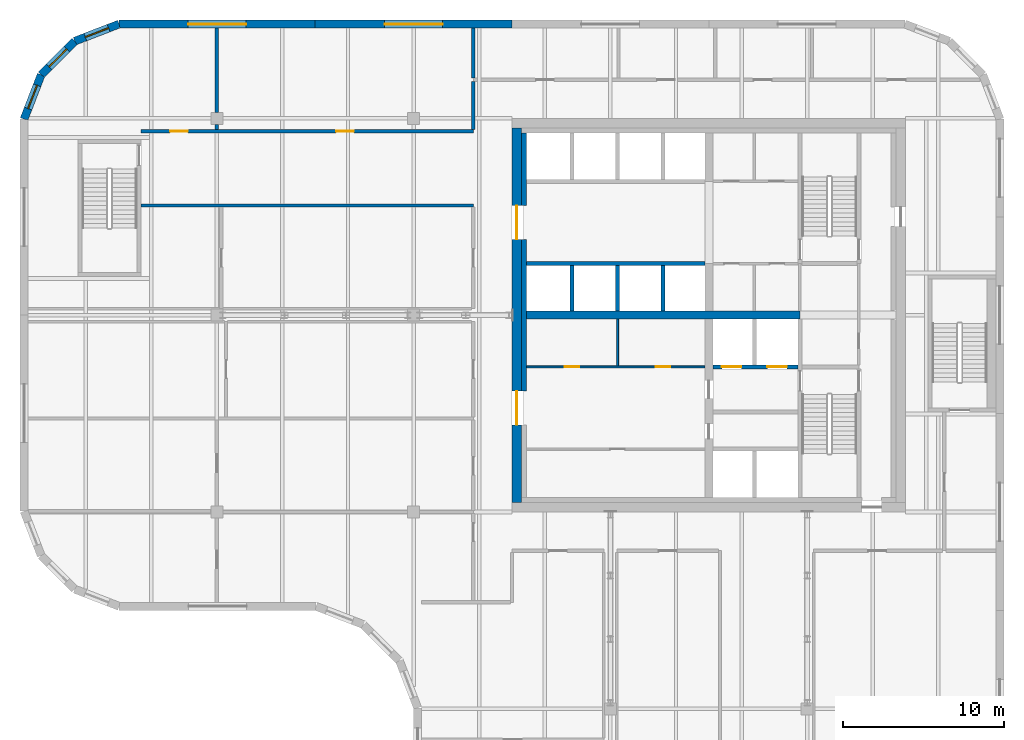
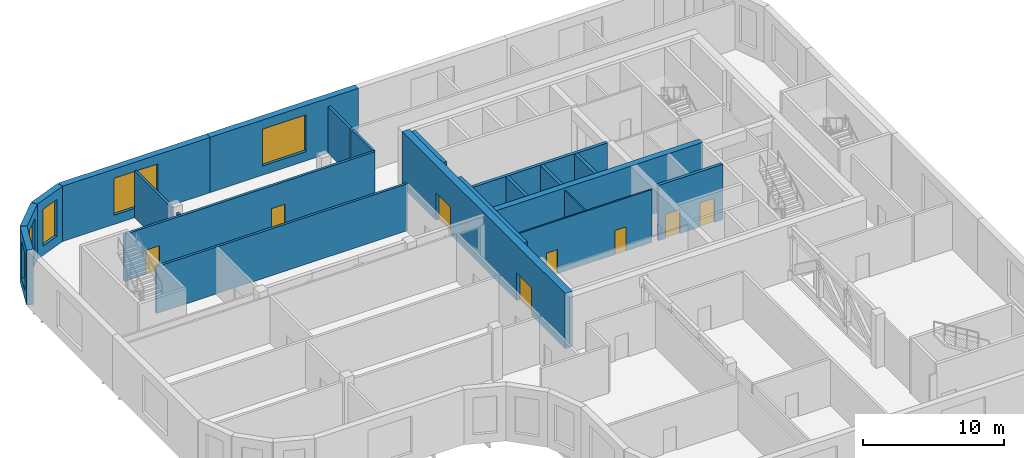
# One storey, part 8 of 12: 22 walls, 8 doors, 5 windows, 13 openings.
"""IFC4 building model written with IfcOpenShell, lengths in metres."""

from ifc_helpers import new_model, si_unit, direction, frame, frame_2d, origin, place, context, subcontext, project, spatial, polyline, rectangle, outline, extrude, faceted_brep, source, transform, mapped, material, layer, layer_set, type_object, element, fill, save


model = new_model("IFC4")

# Units and contexts
model_context = context("Model", 3, precision=1e-05, world=origin(), true_north=direction((0.0, 1.0)))
body_context = subcontext(model_context, "Body", "Model", "MODEL_VIEW")
ifc_project = project(units=[si_unit("LENGTHUNIT", "METRE"), si_unit("AREAUNIT", "SQUARE_METRE"), si_unit("VOLUMEUNIT", "CUBIC_METRE"), si_unit("PLANEANGLEUNIT", "RADIAN"), si_unit("MASSUNIT", "GRAM", prefix="KILO")], contexts=[model_context])

# Site, building, storey
site_placement = place(None, origin())
site = spatial("IfcSite", under=ifc_project, at=site_placement, CompositionType="ELEMENT")
building_placement = place(site_placement, origin())
building = spatial("IfcBuilding", under=site, at=building_placement, Name="Tessera Gate Towers", CompositionType="ELEMENT")
storey_placement = place(building_placement, frame((0.0, 0.0, 150.60009765625)))
storey = spatial("IfcBuildingStorey", under=building, at=storey_placement, Name="L37", CompositionType="ELEMENT", Elevation=150.60009765625)

# Wall
ifc_material_1 = material(Name="Concrete C40/50", Category="concrete")
ifc_layer_1 = layer(ifc_material_1, 0.25)
ifc_layer_set_1 = layer_set([ifc_layer_1], Name="CORE ENCLOSURE WALL 250")
wall_type_1 = type_object("IfcWallType", Name="CORE ENCLOSURE WALL 250", PredefinedType="SOLIDWALL", material=ifc_layer_set_1)
wall_1_placement = place(storey_placement, frame((31.39990234375, 39.800048828125, 0.0), z_axis=(0.0, 0.0, 1.0), x_axis=(1.0, 0.0, 0.0)))
element("IfcWall", 1, at=wall_1_placement, inside=storey, type_object=wall_type_1, Name="L37 shaft and stair enclosure wall", PredefinedType="SOLIDWALL", context=body_context, shape_type="SweptSolid", body=[
    extrude(rectangle(XDim=11.050048828125, YDim=0.25, at=frame_2d((5.52490234375, 0.0))), origin(), (0.0, 0.0, 1.0), 4.7998046875),
])

# Wall, openings, doors
wall_2_placement = place(storey_placement, frame((48.22509765625, 33.39990234375, 0.0), z_axis=(0.0, 0.0, 1.0), x_axis=(-1.0, 0.0, 0.0)))
wall_2 = element("IfcWall", 2, at=wall_2_placement, inside=storey, type_object=wall_type_1, Name="L37 shaft and stair enclosure wall", PredefinedType="SOLIDWALL", context=body_context, shape_type="SweptSolid", body=[
    extrude(rectangle(XDim=5.275146484375, YDim=0.25, at=frame_2d((2.6376953125, 0.0))), origin(), (0.0, 0.0, 1.0), 4.7998046875),
])
shared_shape_1 = source(origin(), body_context, "Body", "SweptSolid", [
    extrude(rectangle(XDim=1.199951171875, YDim=2.10009765625, at=frame_2d((0.60009765625, 1.050048828125))), frame((0.0, 0.135009765625, 0.0), z_axis=(0.0, -1.0, 0.0), x_axis=(1.0, 0.0, 0.0)), (0.0, 0.0, 1.0), 0.27001953125),
])
opening_1_placement = place(wall_2_placement, frame((3.512451171875, 0.0, 0.0)))
opening_1 = element("IfcOpeningElement", 3, at=opening_1_placement, cuts=wall_2, Name="Opening LD-FF1", PredefinedType="OPENING", context=body_context, shape_type="MappedRepresentation", body=[
    mapped(shared_shape_1, transform((0.0, 0.0, 0.0), scale=1.0)),
])
opening_2_placement = place(wall_2_placement, frame((0.6875, 0.0, 0.0)))
opening_2 = element("IfcOpeningElement", 4, at=opening_2_placement, cuts=wall_2, Name="Opening LD-FF2", PredefinedType="OPENING", context=body_context, shape_type="MappedRepresentation", body=[
    mapped(shared_shape_1, transform((0.0, 0.0, 0.0), scale=1.0)),
])
ifc_material_2 = material(Name="Stainless steel", Category="steel")
door_type_1 = type_object("IfcDoorType", Name="CORE DOOR LD1200 1200x2100", OperationType="DOUBLE_DOOR_SLIDING", PredefinedType="DOOR", material=ifc_material_2)
shared_shape_2 = source(origin(), body_context, "Body", "SweptSolid", [
    extrude(rectangle(XDim=1.199951171875, YDim=2.10009765625, at=frame_2d((0.60009765625, 1.050048828125))), frame((0.0, 0.02490234375, 0.0), z_axis=(0.0, -1.0, 0.0), x_axis=(1.0, 0.0, 0.0)), (0.0, 0.0, 1.0), 0.050048828125),
])
door_1_placement = place(opening_1_placement, origin())
door_1 = element("IfcDoor", 5, at=door_1_placement, inside=storey, type_object=door_type_1, Name="Landing door FF1 L37", OperationType="DOUBLE_DOOR_SLIDING", OverallHeight=2.10009765625, OverallWidth=1.199951171875, PredefinedType="DOOR", context=body_context, shape_type="MappedRepresentation", body=[
    mapped(shared_shape_2, transform((0.0, 0.0, 0.0), scale=1.0)),
])
fill(opening_1, door_1)
door_2_placement = place(opening_2_placement, origin())
door_2 = element("IfcDoor", 6, at=door_2_placement, inside=storey, type_object=door_type_1, Name="Landing door FF2 L37", OperationType="DOUBLE_DOOR_SLIDING", OverallHeight=2.10009765625, OverallWidth=1.199951171875, PredefinedType="DOOR", context=body_context, shape_type="MappedRepresentation", body=[
    mapped(shared_shape_2, transform((0.0, 0.0, 0.0), scale=1.0)),
])
fill(opening_2, door_2)

# Walls
for number, where, z_axis, x_axis, name in (
    (7, (34.22509765625, 36.85009765625, 0.0), (0.0, 0.0, 1.0), (0.0, 1.0, 0.0), "L37 shaft and stair enclosure wall"),
    (8, (37.050048828125, 36.85009765625, 0.0), (0.0, 0.0, 1.0), (0.0, 1.0, 0.0), "L37 shaft and stair enclosure wall"),
    (9, (39.875, 36.85009765625, 0.0), (0.0, 0.0, 1.0), (0.0, 1.0, 0.0), "L37 shaft and stair enclosure wall"),
):
    element("IfcWall", number, at=place(storey_placement, frame(where, z_axis=z_axis, x_axis=x_axis)), inside=storey, type_object=wall_type_1, Name=name, PredefinedType="SOLIDWALL", context=body_context, shape_type="SweptSolid", body=[
        extrude(rectangle(XDim=2.824951171875, YDim=0.25, at=frame_2d((1.41259765625, 0.0))), origin(), (0.0, 0.0, 1.0), 4.7998046875),
    ])

# Wall, openings, doors
ifc_material_3 = material(Name="Gypsum board on steel studs", Category="steel")
ifc_layer_2 = layer(ifc_material_3, 0.1201171875)
ifc_layer_set_2 = layer_set([ifc_layer_2], Name="CORE PARTITION 120")
wall_type_2 = type_object("IfcWallType", Name="CORE PARTITION 120", PredefinedType="PARTITIONING", material=ifc_layer_set_2)
wall_3_placement = place(storey_placement, frame((31.39990234375, 33.39990234375, 0.0), z_axis=(0.0, 0.0, 1.0), x_axis=(1.0, 0.0, 0.0)))
wall_3 = element("IfcWall", 10, at=wall_3_placement, inside=storey, type_object=wall_type_2, Name="L37 core partition", PredefinedType="PARTITIONING", context=body_context, shape_type="SweptSolid", body=[
    extrude(rectangle(XDim=11.050048828125, YDim=0.1201171875, at=frame_2d((5.52490234375, 0.0))), origin(), (0.0, 0.0, 1.0), 4.599853515625),
])
shared_shape_3 = source(origin(), body_context, "Body", "SweptSolid", [
    extrude(rectangle(XDim=0.89990234375, YDim=2.10009765625, at=frame_2d((0.449951171875, 1.050048828125))), frame((0.0, 0.070068359375, 0.0), z_axis=(0.0, -1.0, 0.0), x_axis=(1.0, 0.0, 0.0)), (0.0, 0.0, 1.0), 0.14013671875),
])
opening_3_placement = place(wall_3_placement, frame((2.375, 0.0, 0.0)))
opening_3 = element("IfcOpeningElement", 11, at=opening_3_placement, cuts=wall_3, Name="Opening RD-T1-24-08", PredefinedType="OPENING", context=body_context, shape_type="MappedRepresentation", body=[
    mapped(shared_shape_3, transform((0.0, 0.0, 0.0), scale=1.0)),
])
opening_4_placement = place(wall_3_placement, frame((8.02490234375, 0.0, 0.0)))
opening_4 = element("IfcOpeningElement", 12, at=opening_4_placement, cuts=wall_3, Name="Opening RD-T1-24-09", PredefinedType="OPENING", context=body_context, shape_type="MappedRepresentation", body=[
    mapped(shared_shape_3, transform((0.0, 0.0, 0.0), scale=1.0)),
])
ifc_material_4 = material(Name="Hollow steel fire door", Category="steel")
door_type_2 = type_object("IfcDoorType", Name="CORE DOOR RD 900x2100", OperationType="NOTDEFINED", PredefinedType="DOOR", material=ifc_material_4)
shared_shape_4 = source(origin(), body_context, "Body", "SweptSolid", [
    extrude(rectangle(XDim=0.89990234375, YDim=2.10009765625, at=frame_2d((0.449951171875, 1.050048828125))), frame((0.0, 0.02490234375, 0.0), z_axis=(0.0, -1.0, 0.0), x_axis=(1.0, 0.0, 0.0)), (0.0, 0.0, 1.0), 0.050048828125),
])
door_3_placement = place(opening_3_placement, origin())
door_3 = element("IfcDoor", 13, at=door_3_placement, inside=storey, type_object=door_type_2, Name="Core room door", OperationType="SINGLE_SWING_LEFT", OverallHeight=2.10009765625, OverallWidth=0.89990234375, PredefinedType="DOOR", context=body_context, shape_type="MappedRepresentation", body=[
    mapped(shared_shape_4, transform((0.0, 0.0, 0.0), scale=1.0)),
])
fill(opening_3, door_3)
door_4_placement = place(opening_4_placement, origin())
door_4 = element("IfcDoor", 14, at=door_4_placement, inside=storey, type_object=door_type_2, Name="Core room door", OperationType="SINGLE_SWING_RIGHT", OverallHeight=2.10009765625, OverallWidth=0.89990234375, PredefinedType="DOOR", context=body_context, shape_type="MappedRepresentation", body=[
    mapped(shared_shape_4, transform((0.0, 0.0, 0.0), scale=1.0)),
])
fill(opening_4, door_4)

# Wall
wall_4_placement = place(storey_placement, frame((37.050048828125, 33.4599609375, 0.0), z_axis=(0.0, 0.0, 1.0), x_axis=(0.0, 1.0, 0.0)))
element("IfcWall", 15, at=wall_4_placement, inside=storey, type_object=wall_type_2, Name="L37 core partition", PredefinedType="PARTITIONING", context=body_context, shape_type="SweptSolid", body=[
    extrude(rectangle(XDim=2.89013671875, YDim=0.1201171875, at=frame_2d((1.445068359375, 0.0))), origin(), (0.0, 0.0, 1.0), 4.599853515625),
])

# Wall, openings, doors
ifc_material_5 = material(Name="Concrete C50/60", Category="concrete")
ifc_layer_3 = layer(ifc_material_5, 0.60009765625)
ifc_layer_set_3 = layer_set([ifc_layer_3], Name="CORE SHEAR WALL 600 C50/60")
wall_type_3 = type_object("IfcWallType", Name="CORE SHEAR WALL 600 C50/60", PredefinedType="SHEAR", material=ifc_layer_set_3)
wall_5_placement = place(storey_placement, frame((30.800048828125, 25.0, 0.0), z_axis=(0.0, 0.0, 1.0), x_axis=(0.0, 1.0, 0.0)))
wall_5 = element("IfcWall", 16, at=wall_5_placement, inside=storey, type_object=wall_type_3, Name="Core wall W L37", PredefinedType="SHEAR", context=body_context, shape_type="SweptSolid", body=[
    extrude(rectangle(XDim=23.199951171875, YDim=0.60009765625, at=frame_2d((11.60009765625, 0.0))), origin(), (0.0, 0.0, 1.0), 4.7998046875),
])
shared_shape_5 = source(origin(), body_context, "Body", "SweptSolid", [
    extrude(rectangle(XDim=2.10009765625, YDim=2.39990234375, at=frame_2d((1.050048828125, 1.199951171875))), frame((0.0, 0.31005859375, 0.0), z_axis=(0.0, -1.0, 0.0), x_axis=(1.0, 0.0, 0.0)), (0.0, 0.0, 1.0), 0.6201171875),
])
opening_5_placement = place(wall_5_placement, frame((4.800048828125, 0.0, 0.0)))
opening_5 = element("IfcOpeningElement", 17, at=opening_5_placement, cuts=wall_5, Name="Opening DD-T1-24-02", PredefinedType="OPENING", context=body_context, shape_type="MappedRepresentation", body=[
    mapped(shared_shape_5, transform((0.0, 0.0, 0.0), scale=1.0)),
])
opening_6_placement = place(wall_5_placement, frame((16.300048828125, 0.0, 0.0)))
opening_6 = element("IfcOpeningElement", 18, at=opening_6_placement, cuts=wall_5, Name="Opening DD-T1-24-03", PredefinedType="OPENING", context=body_context, shape_type="MappedRepresentation", body=[
    mapped(shared_shape_5, transform((0.0, 0.0, 0.0), scale=1.0)),
])
ifc_material_6 = material(Name="Hollow steel fire door", Category="steel")
door_type_3 = type_object("IfcDoorType", Name="CORE DOOR DD 2100x2400", OperationType="NOTDEFINED", PredefinedType="DOOR", material=ifc_material_6)
shared_shape_6 = source(origin(), body_context, "Body", "SweptSolid", [
    extrude(rectangle(XDim=2.10009765625, YDim=2.39990234375, at=frame_2d((1.050048828125, 1.199951171875))), frame((0.0, 0.02490234375, 0.0), z_axis=(0.0, -1.0, 0.0), x_axis=(1.0, 0.0, 0.0)), (0.0, 0.0, 1.0), 0.050048828125),
])
door_5_placement = place(opening_5_placement, origin())
door_5 = element("IfcDoor", 19, at=door_5_placement, inside=storey, type_object=door_type_3, Name="Core entrance door", OperationType="DOUBLE_DOOR_SINGLE_SWING", OverallHeight=2.39990234375, OverallWidth=2.10009765625, PredefinedType="DOOR", context=body_context, shape_type="MappedRepresentation", body=[
    mapped(shared_shape_6, transform((0.0, 0.0, 0.0), scale=1.0)),
])
fill(opening_5, door_5)
door_6_placement = place(opening_6_placement, origin())
door_6 = element("IfcDoor", 20, at=door_6_placement, inside=storey, type_object=door_type_3, Name="Core entrance door", OperationType="DOUBLE_DOOR_SINGLE_SWING", OverallHeight=2.39990234375, OverallWidth=2.10009765625, PredefinedType="DOOR", context=body_context, shape_type="MappedRepresentation", body=[
    mapped(shared_shape_6, transform((0.0, 0.0, 0.0), scale=1.0)),
])
fill(opening_6, door_6)

# Walls
ifc_material_7 = material(Name="Concrete C50/60", Category="concrete")
ifc_layer_4 = layer(ifc_material_7, 0.5)
ifc_layer_set_4 = layer_set([ifc_layer_4], Name="CORE SPINE WALL 500 C50/60")
wall_type_4 = type_object("IfcWallType", Name="CORE SPINE WALL 500 C50/60", PredefinedType="SHEAR", material=ifc_layer_set_4)
wall_6_placement = place(storey_placement, frame((31.39990234375, 36.60009765625, 0.0), z_axis=(0.0, 0.0, 1.0), x_axis=(1.0, 0.0, 0.0)))
element("IfcWall", 21, at=wall_6_placement, inside=storey, type_object=wall_type_4, Name="Core wall spine L37", PredefinedType="SHEAR", context=body_context, shape_type="SweptSolid", body=[
    extrude(rectangle(XDim=16.9501953125, YDim=0.5, at=frame_2d((8.47509765625, 0.0))), origin(), (0.0, 0.0, 1.0), 4.7998046875),
])
ifc_material_8 = material(Name="Concrete C50/60", Category="concrete")
ifc_layer_5 = layer(ifc_material_8, 0.300048828125)
ifc_layer_set_5 = layer_set([ifc_layer_5], Name="CORE WALL THICKENING 300")
wall_type_5 = type_object("IfcWallType", Name="CORE WALL THICKENING 300", PredefinedType="SOLIDWALL", material=ifc_layer_set_5)
wall_7_placement = place(storey_placement, frame((31.25, 31.89990234375, 0.0), z_axis=(0.0, 0.0, 1.0), x_axis=(0.0, 1.0, 0.0)))
element("IfcWall", 22, at=wall_7_placement, inside=storey, type_object=wall_type_5, Name="Core wall thickening W L37", PredefinedType="SOLIDWALL", context=body_context, shape_type="SweptSolid", body=[
    extrude(rectangle(XDim=9.400146484375, YDim=0.300048828125, at=frame_2d((4.7001953125, 0.0))), origin(), (0.0, 0.0, 1.0), 4.7998046875),
])
wall_8_placement = place(storey_placement, frame((31.25, 43.39990234375, 0.0), z_axis=(0.0, 0.0, 1.0), x_axis=(0.0, 1.0, 0.0)))
element("IfcWall", 23, at=wall_8_placement, inside=storey, type_object=wall_type_5, Name="Core wall thickening W L37", PredefinedType="SOLIDWALL", context=body_context, shape_type="SweptSolid", body=[
    extrude(rectangle(XDim=4.5, YDim=0.300048828125, at=frame_2d((2.25, 0.0))), origin(), (0.0, 0.0, 1.0), 4.7998046875),
])
ifc_material_9 = material(Name="Concrete masonry unit", Category="masonry")
ifc_layer_6 = layer(ifc_material_9, 0.199951171875)
ifc_layer_set_6 = layer_set([ifc_layer_6], Name="PLANT WALL 200")
wall_type_6 = type_object("IfcWallType", Name="PLANT WALL 200", PredefinedType="PARTITIONING", material=ifc_layer_set_6)
wall_9_placement = place(storey_placement, frame((7.5, 43.39990234375, 0.0), z_axis=(0.0, 0.0, 1.0), x_axis=(1.0, 0.0, 0.0)))
element("IfcWall", 24, at=wall_9_placement, inside=storey, type_object=wall_type_6, Name="T1-L37-PW-033", PredefinedType="PARTITIONING", context=body_context, shape_type="SweptSolid", body=[
    extrude(rectangle(XDim=20.60009765625, YDim=0.199951171875, at=frame_2d((10.300048828125, 0.0))), origin(), (0.0, 0.0, 1.0), 4.06689453125),
])

# Wall, openings, doors
wall_10_placement = place(storey_placement, frame((7.5, 48.0, 0.0), z_axis=(0.0, 0.0, 1.0), x_axis=(1.0, 0.0, 0.0)))
wall_10 = element("IfcWall", 25, at=wall_10_placement, inside=storey, type_object=wall_type_6, Name="T1-L37-PW-034", PredefinedType="PARTITIONING", context=body_context, shape_type="SweptSolid", body=[
    extrude(rectangle(XDim=20.60009765625, YDim=0.199951171875, at=frame_2d((10.300048828125, 0.0))), origin(), (0.0, 0.0, 1.0), 4.06689453125),
])
shared_shape_7 = source(origin(), body_context, "Body", "SweptSolid", [
    extrude(rectangle(XDim=1.10009765625, YDim=2.10009765625, at=frame_2d((0.550048828125, 1.050048828125))), frame((0.0, 0.10986328125, 0.0), z_axis=(0.0, -1.0, 0.0), x_axis=(1.0, 0.0, 0.0)), (0.0, 0.0, 1.0), 0.219970703125),
])
opening_7_placement = place(wall_10_placement, frame((1.800048828125, 0.0, 0.0)))
opening_7 = element("IfcOpeningElement", 26, at=opening_7_placement, cuts=wall_10, Name="Opening D5110FD90-A31-02", PredefinedType="OPENING", context=body_context, shape_type="MappedRepresentation", body=[
    mapped(shared_shape_7, transform((0.0, 0.0, 0.0), scale=1.0)),
])
opening_8_placement = place(wall_10_placement, frame((12.10009765625, 0.0, 0.0)))
opening_8 = element("IfcOpeningElement", 27, at=opening_8_placement, cuts=wall_10, Name="Opening D5110FD90-A31-20", PredefinedType="OPENING", context=body_context, shape_type="MappedRepresentation", body=[
    mapped(shared_shape_7, transform((0.0, 0.0, 0.0), scale=1.0)),
])
ifc_material_10 = material(Name="Timber door leaf in steel frame", Category="steel")
door_type_4 = type_object("IfcDoorType", Name="PLANT DOOR 1100 FD90", OperationType="NOTDEFINED", PredefinedType="DOOR", material=ifc_material_10)
shared_shape_8 = source(origin(), body_context, "Body", "SweptSolid", [
    extrude(rectangle(XDim=1.10009765625, YDim=2.10009765625, at=frame_2d((0.550048828125, 1.050048828125))), frame((0.0, 0.02490234375, 0.0), z_axis=(0.0, -1.0, 0.0), x_axis=(1.0, 0.0, 0.0)), (0.0, 0.0, 1.0), 0.050048828125),
])
door_7_placement = place(opening_7_placement, origin())
door_7 = element("IfcDoor", 28, at=door_7_placement, inside=storey, type_object=door_type_4, Name="T1-L37-PD-002", OperationType="SINGLE_SWING_LEFT", OverallHeight=2.10009765625, OverallWidth=1.10009765625, PredefinedType="DOOR", context=body_context, shape_type="MappedRepresentation", body=[
    mapped(shared_shape_8, transform((0.0, 0.0, 0.0), scale=1.0)),
])
fill(opening_7, door_7)
door_8_placement = place(opening_8_placement, origin())
door_8 = element("IfcDoor", 29, at=door_8_placement, inside=storey, type_object=door_type_4, Name="T1-L37-PD-020", OperationType="SINGLE_SWING_LEFT", OverallHeight=2.10009765625, OverallWidth=1.10009765625, PredefinedType="DOOR", context=body_context, shape_type="MappedRepresentation", body=[
    mapped(shared_shape_8, transform((0.0, 0.0, 0.0), scale=1.0)),
])
fill(opening_8, door_8)

# Walls
wall_11_placement = place(storey_placement, frame((12.199951171875, 48.10107421875, 0.0), z_axis=(0.0, 0.0, 1.0), x_axis=(0.0, 1.0, 0.0)))
element("IfcWall", 30, at=wall_11_placement, inside=storey, type_object=wall_type_6, Name="T1-L37-PW-035", PredefinedType="PARTITIONING", context=body_context, shape_type="SweptSolid", body=[
    extrude(rectangle(XDim=0.322998046875, YDim=0.199951171875, at=frame_2d((0.16162109375, 0.0))), origin(), (0.0, 0.0, 1.0), 4.06689453125),
])
wall_12_placement = place(storey_placement, frame((28.10009765625, 48.10107421875, 0.0), z_axis=(0.0, 0.0, 1.0), x_axis=(0.0, 1.0, 0.0)))
element("IfcWall", 31, at=wall_12_placement, inside=storey, type_object=wall_type_6, Name="T1-L37-PW-036", PredefinedType="PARTITIONING", context=body_context, shape_type="SweptSolid", body=[
    extrude(rectangle(XDim=2.998046875, YDim=0.199951171875, at=frame_2d((1.4990234375, 0.0))), origin(), (0.0, 0.0, 1.0), 4.06689453125),
])
wall_13_placement = place(storey_placement, frame((12.199951171875, 49.176025390625, 0.0), z_axis=(0.0, 0.0, 1.0), x_axis=(0.0, 1.0, 0.0)))
element("IfcWall", 32, at=wall_13_placement, inside=storey, type_object=wall_type_6, Name="T1-L37-PW-037", PredefinedType="PARTITIONING", context=body_context, shape_type="SweptSolid", body=[
    extrude(rectangle(XDim=5.223876953125, YDim=0.199951171875, at=frame_2d((2.61181640625, 0.0))), origin(), (0.0, 0.0, 1.0), 4.06689453125),
])
wall_14_placement = place(storey_placement, frame((28.10009765625, 51.301025390625, 0.0), z_axis=(0.0, 0.0, 1.0), x_axis=(0.0, 1.0, 0.0)))
element("IfcWall", 33, at=wall_14_placement, inside=storey, type_object=wall_type_6, Name="T1-L37-PW-039", PredefinedType="PARTITIONING", context=body_context, shape_type="SweptSolid", body=[
    extrude(rectangle(XDim=3.098876953125, YDim=0.199951171875, at=frame_2d((1.54931640625, 0.0))), origin(), (0.0, 0.0, 1.0), 4.06689453125),
])

# Wall, opening, window
ifc_material_11 = material(Name="Precast concrete C60/75 white", Category="concrete")
ifc_layer_7 = layer(ifc_material_11, 0.5)
ifc_layer_set_7 = layer_set([ifc_layer_7], Name="RB1 ring band panel")
wall_type_7 = type_object("IfcWallType", Name="RB1 ring band panel", PredefinedType="SOLIDWALL", material=ifc_layer_set_7)
shared_shape_9 = source(origin(), body_context, "Body", "Brep", [
    faceted_brep([(0.0, -0.25, 0.0), (12.153564453125, -0.25, 0.0), (12.153564453125, -0.25, 4.7998046875), (0.0, -0.25, 4.7998046875), (0.0, 0.25, 4.7998046875), (12.10693359375, 0.25, 4.7998046875), (12.10693359375, 0.25, 0.0), (0.0, 0.25, 0.0), (12.153564453125, -0.00048828125, 0.0), (12.153564453125, -0.00048828125, 4.7998046875)], [[[0, 1, 2, 3]], [[4, 5, 6, 7]], [[7, 6, 8, 1, 0]], [[9, 2, 1, 8]], [[5, 4, 3, 2, 9]], [[4, 7, 0, 3]], [[8, 6, 5, 9]]]),
])
wall_15_placement = place(storey_placement, frame((18.300048828125, 54.64990234375, 0.0), z_axis=(0.0, 0.0, 1.0), x_axis=(-1.0, 0.0, 0.0)))
wall_15 = element("IfcWall", 34, at=wall_15_placement, inside=storey, type_object=wall_type_7, Name="Ring band panel T1 RB1-0048", PredefinedType="SOLIDWALL", context=body_context, shape_type="MappedRepresentation", body=[
    mapped(shared_shape_9, transform((0.0, 0.0, 0.0), scale=1.0)),
])
shared_shape_10 = source(origin(), body_context, "Body", "SweptSolid", [
    extrude(outline(polyline([(4.276611328125, 0.7998046875), (7.876708984375, 0.7998046875), (7.876708984375, 4.0), (4.276611328125, 4.0), (4.276611328125, 0.7998046875)])), frame((0.0, 0.260009765625, 0.0), z_axis=(0.0, -1.0, 0.0), x_axis=(1.0, 0.0, 0.0)), (0.0, 0.0, 1.0), 0.52001953125),
])
opening_9_placement = place(wall_15_placement, origin())
opening_9 = element("IfcOpeningElement", 35, at=opening_9_placement, cuts=wall_15, Name="Opening T1-WN-LV1-0048", PredefinedType="OPENING", context=body_context, shape_type="MappedRepresentation", body=[
    mapped(shared_shape_10, transform((0.0, 0.0, 0.0), scale=1.0)),
])
ifc_material_12 = material(Name="Aluminium louvre", Category="aluminium")
ifc_layer_8 = layer(ifc_material_12, 0.06005859375)
ifc_layer_set_8 = layer_set([ifc_layer_8], Name="LV1 louvre")
window_type = type_object("IfcWindowType", Name="LV1 louvre", PartitioningType="USERDEFINED", PredefinedType="WINDOW", material=ifc_layer_set_8)
shared_shape_11 = source(origin(), body_context, "Body", "SweptSolid", [
    extrude(outline(polyline([(4.276611328125, 0.7998046875), (7.876708984375, 0.7998046875), (7.876708984375, 4.0), (4.276611328125, 4.0), (4.276611328125, 0.7998046875)])), frame((0.0, 0.030029296875, 0.0), z_axis=(0.0, -1.0, 0.0), x_axis=(1.0, 0.0, 0.0)), (0.0, 0.0, 1.0), 0.06005859375),
])
window_1_placement = place(opening_9_placement, origin())
window_1 = element("IfcWindow", 36, at=window_1_placement, inside=storey, type_object=window_type, Name="Louvre T1 WN-LV1-0048", OverallHeight=3.2001953125, OverallWidth=3.60009765625, PartitioningType="USERDEFINED", PredefinedType="WINDOW", context=body_context, shape_type="MappedRepresentation", body=[
    mapped(shared_shape_11, transform((0.0, 0.0, 0.0), scale=1.0)),
])
fill(opening_9, window_1)

shared_shape_12 = source(origin(), body_context, "Body", "Brep", [
    faceted_brep([(0.0, -0.25, 0.0), (2.950439453125, -0.25, 0.0), (2.950439453125, -0.25, 4.7998046875), (0.0, -0.25, 4.7998046875), (0.046630859375, 0.25, 4.7998046875), (2.897705078125, 0.25, 4.7998046875), (2.897705078125, 0.25, 0.0), (0.046630859375, 0.25, 0.0), (2.950439453125, 0.00048828125, 0.0), (0.0, 0.0, 0.0), (2.950439453125, 0.00048828125, 4.7998046875), (0.0, 0.0, 4.7998046875)], [[[0, 1, 2, 3]], [[4, 5, 6, 7]], [[7, 6, 8, 1, 0, 9]], [[10, 2, 1, 8]], [[5, 4, 11, 3, 2, 10]], [[9, 0, 3, 11]], [[7, 9, 11, 4]], [[8, 6, 5, 10]]]),
])
wall_16_placement = place(storey_placement, frame((6.146484375, 54.64990234375, 0.0), z_axis=(0.0, 0.0, 1.0), x_axis=(-0.932999673775, -0.359877213415, 0.0)))
wall_16 = element("IfcWall", 37, at=wall_16_placement, inside=storey, type_object=wall_type_7, Name="Ring band panel T1 RB1-0049", PredefinedType="SOLIDWALL", context=body_context, shape_type="MappedRepresentation", body=[
    mapped(shared_shape_12, transform((0.0, 0.0, 0.0), scale=1.0)),
])
shared_shape_13 = source(origin(), body_context, "Body", "SweptSolid", [
    extrude(outline(polyline([(0.699951171875, 0.7998046875), (2.25048828125, 0.7998046875), (2.25048828125, 4.0), (0.699951171875, 4.0), (0.699951171875, 0.7998046875)])), frame((0.0, 0.260009765625, 0.0), z_axis=(0.0, -1.0, 0.0), x_axis=(1.0, 0.0, 0.0)), (0.0, 0.0, 1.0), 0.52001953125),
])
opening_10_placement = place(wall_16_placement, origin())
opening_10 = element("IfcOpeningElement", 38, at=opening_10_placement, cuts=wall_16, Name="Opening T1-WN-LV1-0049", PredefinedType="OPENING", context=body_context, shape_type="MappedRepresentation", body=[
    mapped(shared_shape_13, transform((0.0, 0.0, 0.0), scale=1.0)),
])
shared_shape_14 = source(origin(), body_context, "Body", "SweptSolid", [
    extrude(outline(polyline([(0.699951171875, 0.7998046875), (2.25048828125, 0.7998046875), (2.25048828125, 4.0), (0.699951171875, 4.0), (0.699951171875, 0.7998046875)])), frame((0.0, 0.030029296875, 0.0), z_axis=(0.0, -1.0, 0.0), x_axis=(1.0, 0.0, 0.0)), (0.0, 0.0, 1.0), 0.06005859375),
])
window_2_placement = place(opening_10_placement, origin())
window_2 = element("IfcWindow", 39, at=window_2_placement, inside=storey, type_object=window_type, Name="Louvre T1 WN-LV1-0049", OverallHeight=3.2001953125, OverallWidth=1.550537109375, PartitioningType="USERDEFINED", PredefinedType="WINDOW", context=body_context, shape_type="MappedRepresentation", body=[
    mapped(shared_shape_14, transform((0.0, 0.0, 0.0), scale=1.0)),
])
fill(opening_10, window_2)

shared_shape_15 = source(origin(), body_context, "Body", "Brep", [
    faceted_brep([(0.0, -0.25, 0.0), (2.944091796875, -0.25, 0.0), (2.944091796875, -0.25, 4.7998046875), (0.0, -0.25, 4.7998046875), (0.052978515625, 0.25, 4.7998046875), (2.89111328125, 0.25, 4.7998046875), (2.89111328125, 0.25, 0.0), (0.052978515625, 0.25, 0.0), (2.944091796875, 0.000244140625, 0.0), (0.0, 0.0, 0.0), (2.944091796875, 0.000244140625, 4.7998046875), (0.0, 0.0, 4.7998046875)], [[[0, 1, 2, 3]], [[4, 5, 6, 7]], [[7, 6, 8, 1, 0, 9]], [[10, 2, 1, 8]], [[5, 4, 11, 3, 2, 10]], [[9, 0, 3, 11]], [[7, 9, 11, 4]], [[8, 6, 5, 10]]]),
])
wall_17_placement = place(storey_placement, frame((3.393798828125, 53.588134765625, 0.0), z_axis=(0.0, 0.0, 1.0), x_axis=(-0.707106781187, -0.707106781187, 0.0)))
wall_17 = element("IfcWall", 40, at=wall_17_placement, inside=storey, type_object=wall_type_7, Name="Ring band panel T1 RB1-0050", PredefinedType="SOLIDWALL", context=body_context, shape_type="MappedRepresentation", body=[
    mapped(shared_shape_15, transform((0.0, 0.0, 0.0), scale=1.0)),
])
shared_shape_16 = source(origin(), body_context, "Body", "SweptSolid", [
    extrude(outline(polyline([(0.699951171875, 0.7998046875), (2.244140625, 0.7998046875), (2.244140625, 4.0), (0.699951171875, 4.0), (0.699951171875, 0.7998046875)])), frame((0.0, 0.260009765625, 0.0), z_axis=(0.0, -1.0, 0.0), x_axis=(1.0, 0.0, 0.0)), (0.0, 0.0, 1.0), 0.52001953125),
])
opening_11_placement = place(wall_17_placement, origin())
opening_11 = element("IfcOpeningElement", 41, at=opening_11_placement, cuts=wall_17, Name="Opening T1-WN-LV1-0050", PredefinedType="OPENING", context=body_context, shape_type="MappedRepresentation", body=[
    mapped(shared_shape_16, transform((0.0, 0.0, 0.0), scale=1.0)),
])
shared_shape_17 = source(origin(), body_context, "Body", "SweptSolid", [
    extrude(outline(polyline([(0.699951171875, 0.7998046875), (2.244140625, 0.7998046875), (2.244140625, 4.0), (0.699951171875, 4.0), (0.699951171875, 0.7998046875)])), frame((0.0, 0.030029296875, 0.0), z_axis=(0.0, -1.0, 0.0), x_axis=(1.0, 0.0, 0.0)), (0.0, 0.0, 1.0), 0.06005859375),
])
window_3_placement = place(opening_11_placement, origin())
window_3 = element("IfcWindow", 42, at=window_3_placement, inside=storey, type_object=window_type, Name="Louvre T1 WN-LV1-0050", OverallHeight=3.2001953125, OverallWidth=1.544189453125, PartitioningType="USERDEFINED", PredefinedType="WINDOW", context=body_context, shape_type="MappedRepresentation", body=[
    mapped(shared_shape_17, transform((0.0, 0.0, 0.0), scale=1.0)),
])
fill(opening_11, window_3)

shared_shape_18 = source(origin(), body_context, "Body", "SweptSolid", [
    extrude(outline(polyline([(0.0, 0.0), (12.199951171875, 0.0), (12.199951171875, 4.7998046875), (0.0, 4.7998046875), (0.0, 0.0)])), frame((0.0, 0.25, 0.0), z_axis=(0.0, -1.0, 0.0), x_axis=(1.0, 0.0, 0.0)), (0.0, 0.0, 1.0), 0.5),
])
wall_18_placement = place(storey_placement, frame((30.5, 54.64990234375, 0.0), z_axis=(0.0, 0.0, 1.0), x_axis=(-1.0, 0.0, 0.0)))
wall_18 = element("IfcWall", 43, at=wall_18_placement, inside=storey, type_object=wall_type_7, Name="Ring band panel T1 RB1-0047", PredefinedType="SOLIDWALL", context=body_context, shape_type="MappedRepresentation", body=[
    mapped(shared_shape_18, transform((0.0, 0.0, 0.0), scale=1.0)),
])
shared_shape_19 = source(origin(), body_context, "Body", "SweptSolid", [
    extrude(outline(polyline([(4.300048828125, 0.7998046875), (7.89990234375, 0.7998046875), (7.89990234375, 4.0), (4.300048828125, 4.0), (4.300048828125, 0.7998046875)])), frame((0.0, 0.260009765625, 0.0), z_axis=(0.0, -1.0, 0.0), x_axis=(1.0, 0.0, 0.0)), (0.0, 0.0, 1.0), 0.52001953125),
])
opening_12_placement = place(wall_18_placement, origin())
opening_12 = element("IfcOpeningElement", 44, at=opening_12_placement, cuts=wall_18, Name="Opening T1-WN-LV1-0047", PredefinedType="OPENING", context=body_context, shape_type="MappedRepresentation", body=[
    mapped(shared_shape_19, transform((0.0, 0.0, 0.0), scale=1.0)),
])
shared_shape_20 = source(origin(), body_context, "Body", "SweptSolid", [
    extrude(outline(polyline([(4.300048828125, 0.7998046875), (7.89990234375, 0.7998046875), (7.89990234375, 4.0), (4.300048828125, 4.0), (4.300048828125, 0.7998046875)])), frame((0.0, 0.030029296875, 0.0), z_axis=(0.0, -1.0, 0.0), x_axis=(1.0, 0.0, 0.0)), (0.0, 0.0, 1.0), 0.06005859375),
])
window_4_placement = place(opening_12_placement, origin())
window_4 = element("IfcWindow", 45, at=window_4_placement, inside=storey, type_object=window_type, Name="Louvre T1 WN-LV1-0047", OverallHeight=3.2001953125, OverallWidth=3.599853515625, PartitioningType="USERDEFINED", PredefinedType="WINDOW", context=body_context, shape_type="MappedRepresentation", body=[
    mapped(shared_shape_20, transform((0.0, 0.0, 0.0), scale=1.0)),
])
fill(opening_12, window_4)

shared_shape_21 = source(origin(), body_context, "Body", "Brep", [
    faceted_brep([(0.0, -0.25, 0.0), (2.950439453125, -0.25, 0.0), (2.950439453125, -0.25, 4.7998046875), (0.0, -0.25, 4.7998046875), (0.052978515625, 0.25, 4.7998046875), (2.904052734375, 0.25, 4.7998046875), (2.904052734375, 0.25, 0.0), (0.052978515625, 0.25, 0.0), (2.950439453125, 0.00048828125, 0.0), (0.0, 0.0, 0.0), (2.950439453125, 0.00048828125, 4.7998046875), (0.0, 0.0, 4.7998046875)], [[[0, 1, 2, 3]], [[4, 5, 6, 7]], [[7, 6, 8, 1, 0, 9]], [[10, 2, 1, 8]], [[5, 4, 11, 3, 2, 10]], [[9, 0, 3, 11]], [[7, 9, 11, 4]], [[8, 6, 5, 10]]]),
])
wall_19_placement = place(storey_placement, frame((1.31201171875, 51.50634765625, 0.0), z_axis=(0.0, 0.0, 1.0), x_axis=(-0.359921456299, -0.932982607178, 0.0)))
wall_19 = element("IfcWall", 46, at=wall_19_placement, inside=storey, type_object=wall_type_7, Name="Ring band panel T1 RB1-0051", PredefinedType="SOLIDWALL", context=body_context, shape_type="MappedRepresentation", body=[
    mapped(shared_shape_21, transform((0.0, 0.0, 0.0), scale=1.0)),
])
opening_13_placement = place(wall_19_placement, origin())
opening_13 = element("IfcOpeningElement", 47, at=opening_13_placement, cuts=wall_19, Name="Opening T1-WN-LV1-0051", PredefinedType="OPENING", context=body_context, shape_type="MappedRepresentation", body=[
    mapped(shared_shape_13, transform((0.0, 0.0, 0.0), scale=1.0)),
])
window_5_placement = place(opening_13_placement, origin())
window_5 = element("IfcWindow", 48, at=window_5_placement, inside=storey, type_object=window_type, Name="Louvre T1 WN-LV1-0051", OverallHeight=3.2001953125, OverallWidth=1.550537109375, PartitioningType="USERDEFINED", PredefinedType="WINDOW", context=body_context, shape_type="MappedRepresentation", body=[
    mapped(shared_shape_14, transform((0.0, 0.0, 0.0), scale=1.0)),
])
fill(opening_13, window_5)

save(model, "model.ifc")
